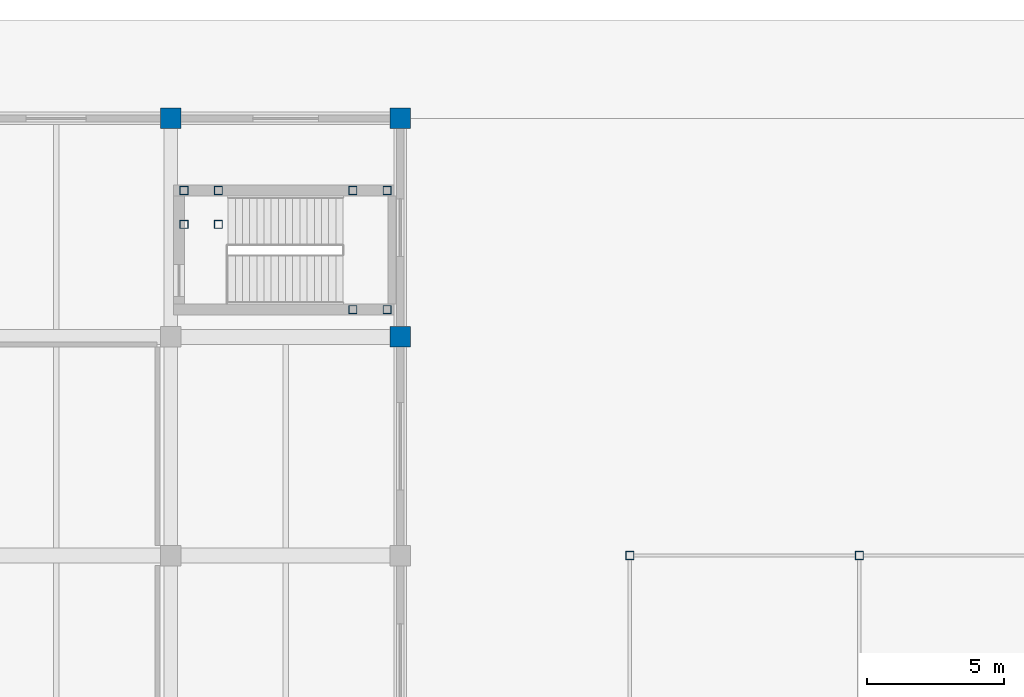
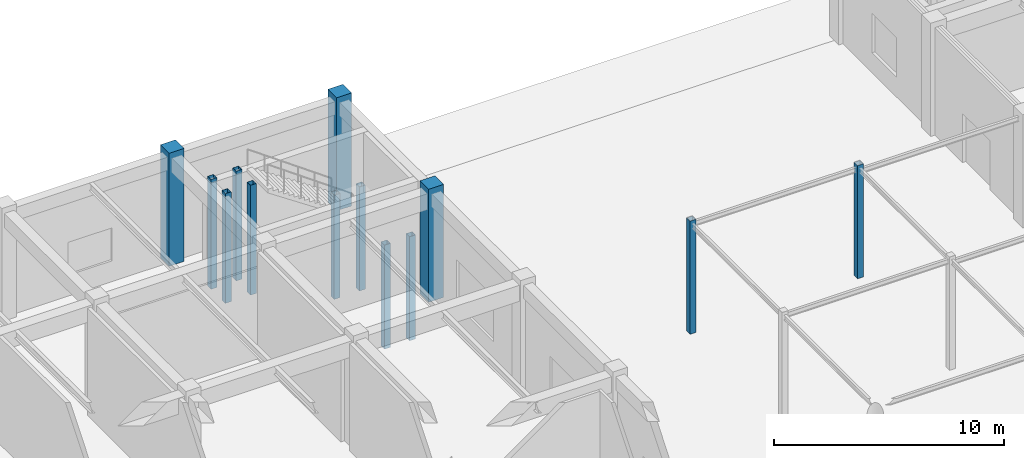
# One storey, part 12 of 76: 13 columns.
"""IFC4 building model written with IfcOpenShell, lengths in metres."""

from ifc_helpers import new_model, si_unit, direction, frame, origin, origin_2d, place, context, subcontext, project, spatial, rectangle, hollow_rectangle, extrude, material, material_profile, profile_set, type_object, element, save


model = new_model("IFC4")

# Units and contexts
model_context = context("Model", 3, precision=1e-05, world=origin(), true_north=direction((0.0, 1.0)))
body_context = subcontext(model_context, "Body", "Model", "MODEL_VIEW")
ifc_project = project(units=[si_unit("LENGTHUNIT", "METRE"), si_unit("AREAUNIT", "SQUARE_METRE"), si_unit("VOLUMEUNIT", "CUBIC_METRE"), si_unit("PLANEANGLEUNIT", "RADIAN"), si_unit("MASSUNIT", "GRAM", prefix="KILO")], contexts=[model_context])

# Site, building, storey
site_placement = place(None, origin())
site = spatial("IfcSite", under=ifc_project, at=site_placement, CompositionType="ELEMENT")
building_placement = place(site_placement, origin())
building = spatial("IfcBuilding", under=site, at=building_placement, Name="Naruveol Harbour Congress Hotel", CompositionType="ELEMENT")
storey_placement = place(building_placement, origin())
storey = spatial("IfcBuildingStorey", under=building, at=storey_placement, Name="L00", CompositionType="ELEMENT", Elevation=0.0)

# Columns
ifc_material_1 = material(Name="Concrete C50/60", Category="concrete")
ifc_material_profile_1 = material_profile(ifc_material_1, rectangle(XDim=0.75, YDim=0.75, at=origin_2d()), Name="RC-750x750")
ifc_profile_set_1 = profile_set([ifc_material_profile_1], Name="Concrete C50/60")
column_type_1 = type_object("IfcColumnType", Name="RC WING COLUMN 750X750", PredefinedType="COLUMN", material=ifc_profile_set_1)
for number, where, z_axis, x_axis, name in (
    (1, (33.60009765625, 112.0, 0.0), (0.0, 0.0, 1.0), (1.0, 0.0, 0.0), "Column C-750 L00 (33.6,112.0)"),
    (2, (42.0, 104.0, 0.0), (0.0, 0.0, 1.0), (1.0, 0.0, 0.0), "Column C-750 L00 (42.0,104.0)"),
    (3, (42.0, 112.0, 0.0), (0.0, 0.0, 1.0), (1.0, 0.0, 0.0), "Column C-750 L00 (42.0,112.0)"),
):
    element("IfcColumn", number, at=place(storey_placement, frame(where, z_axis=z_axis, x_axis=x_axis)), inside=storey, type_object=column_type_1, Name=name, PredefinedType="COLUMN", context=body_context, shape_type="SweptSolid", body=[
        extrude(rectangle(XDim=0.75, YDim=0.75, at=origin_2d()), origin(), (0.0, 0.0, 1.0), 6.0),
    ])
ifc_material_2 = material(Name="Steel SN490", Category="steel")
ifc_material_profile_2 = material_profile(ifc_material_2, hollow_rectangle(XDim=0.300048828125, YDim=0.300048828125, WallThickness=0.011962890625, at=origin_2d()), Name="SHS-300x300x12")
ifc_profile_set_2 = profile_set([ifc_material_profile_2], Name="Steel SN490")
column_type_2 = type_object("IfcColumnType", Name="STEEL COLONNADE POST SHS300", PredefinedType="COLUMN", material=ifc_profile_set_2)
for number, where, z_axis, x_axis, name in (
    (4, (50.39990234375, 96.0, 0.0), (0.0, 0.0, 1.0), (1.0, 0.0, 0.0), "Column SC-S300 L00 (50.4,96.0)"),
    (5, (58.800048828125, 96.0, 0.0), (0.0, 0.0, 1.0), (1.0, 0.0, 0.0), "Column SC-S300 L00 (58.8,96.0)"),
):
    element("IfcColumn", number, at=place(storey_placement, frame(where, z_axis=z_axis, x_axis=x_axis)), inside=storey, type_object=column_type_2, Name=name, PredefinedType="COLUMN", context=body_context, shape_type="SweptSolid", body=[
        extrude(hollow_rectangle(XDim=0.300048828125, YDim=0.300048828125, WallThickness=0.011962890625, at=origin_2d()), origin(), (0.0, 0.0, 1.0), 6.0),
    ])
for number, where, z_axis, x_axis, name in (
    (6, (34.080078125, 108.1201171875, 0.0), (0.0, 0.0, 1.0), (1.0, 0.0, 0.0), "Stair landing support post ST7W #386"),
    (7, (34.080078125, 109.360107421875, 0.0), (0.0, 0.0, 1.0), (1.0, 0.0, 0.0), "Stair landing support post ST7W #388"),
    (8, (35.340087890625, 108.1201171875, 0.0), (0.0, 0.0, 1.0), (1.0, 0.0, 0.0), "Stair landing support post ST7W #390"),
    (9, (35.340087890625, 109.360107421875, 0.0), (0.0, 0.0, 1.0), (1.0, 0.0, 0.0), "Stair landing support post ST7W #392"),
):
    element("IfcColumn", number, at=place(storey_placement, frame(where, z_axis=z_axis, x_axis=x_axis)), inside=storey, type_object=column_type_2, Name=name, PredefinedType="COLUMN", context=body_context, shape_type="SweptSolid", body=[
        extrude(hollow_rectangle(XDim=0.300048828125, YDim=0.300048828125, WallThickness=0.011962890625, at=origin_2d()), origin(), (0.0, 0.0, 1.0), 5.820068359375),
    ])
for number, where, z_axis, x_axis, name in (
    (10, (40.260009765625, 105.0, -2.699951171875), (0.0, 0.0, 1.0), (1.0, 0.0, 0.0), "Stair landing support post ST7E #394"),
    (11, (40.260009765625, 109.360107421875, -2.699951171875), (0.0, 0.0, 1.0), (1.0, 0.0, 0.0), "Stair landing support post ST7E #396"),
    (12, (41.52001953125, 105.0, -2.699951171875), (0.0, 0.0, 1.0), (1.0, 0.0, 0.0), "Stair landing support post ST7E #398"),
    (13, (41.52001953125, 109.360107421875, -2.699951171875), (0.0, 0.0, 1.0), (1.0, 0.0, 0.0), "Stair landing support post ST7E #400"),
):
    element("IfcColumn", number, at=place(storey_placement, frame(where, z_axis=z_axis, x_axis=x_axis)), inside=storey, type_object=column_type_2, Name=name, PredefinedType="COLUMN", context=body_context, shape_type="SweptSolid", body=[
        extrude(hollow_rectangle(XDim=0.300048828125, YDim=0.300048828125, WallThickness=0.011962890625, at=origin_2d()), origin(), (0.0, 0.0, 1.0), 5.52001953125),
    ])

save(model, "model.ifc")
